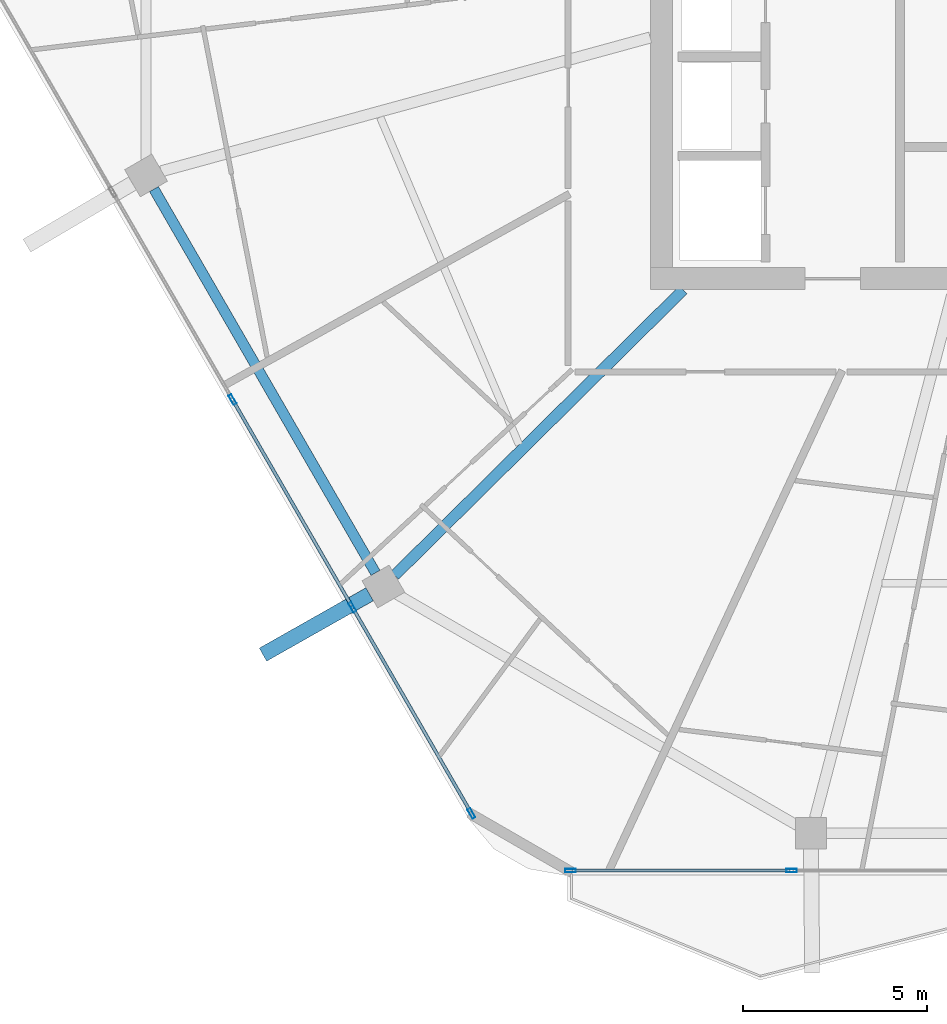
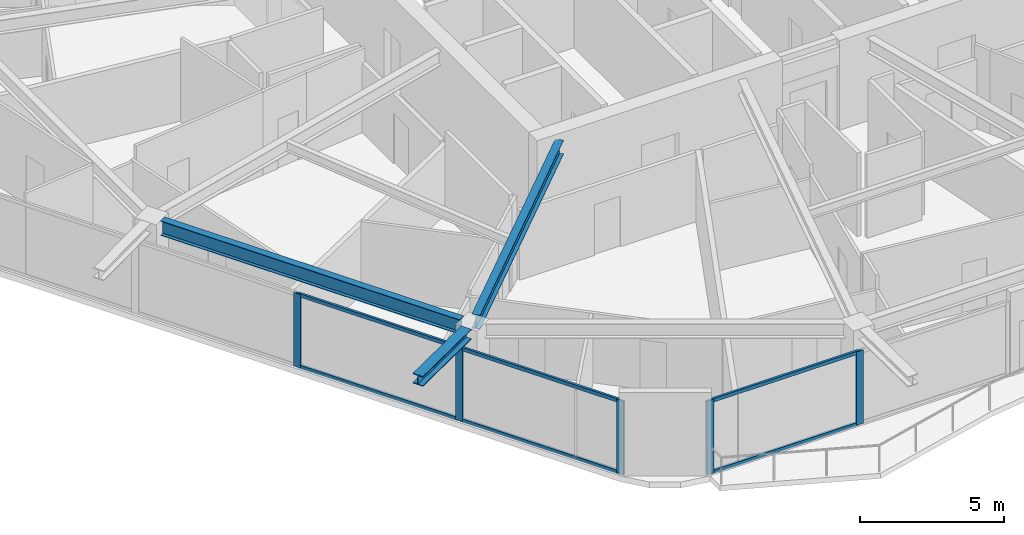
# One storey, part 2 of 27: 11 members, 3 beams, 2 elements without a shape of their own.
"""IFC4 building model written with IfcOpenShell, lengths in metres."""

from ifc_helpers import new_model, si_unit, direction, frame, origin, origin_2d, place, context, subcontext, project, spatial, hollow_rectangle, i_section, extrude, material, material_profile, profile_set, type_object, element, aggregate, save


model = new_model("IFC4")

# Units and contexts
model_context = context("Model", 3, precision=1e-05, world=origin(), true_north=direction((0.0, 1.0)))
body_context = subcontext(model_context, "Body", "Model", "MODEL_VIEW")
ifc_project = project(units=[si_unit("LENGTHUNIT", "METRE"), si_unit("AREAUNIT", "SQUARE_METRE"), si_unit("VOLUMEUNIT", "CUBIC_METRE"), si_unit("PLANEANGLEUNIT", "RADIAN"), si_unit("MASSUNIT", "GRAM", prefix="KILO")], contexts=[model_context])

# Site, building, storey
site_placement = place(None, origin())
site = spatial("IfcSite", under=ifc_project, at=site_placement, CompositionType="ELEMENT")
building_placement = place(site_placement, origin())
building = spatial("IfcBuilding", under=site, at=building_placement, Name="Zuhravey Tower", CompositionType="ELEMENT")
storey_placement = place(building_placement, frame((0.0, 0.0, 265.39990234375)))
storey = spatial("IfcBuildingStorey", under=building, at=storey_placement, Name="L67", CompositionType="ELEMENT", Elevation=265.39990234375)

# Curtain wall, members
ifc_material_1 = material(Name="Thermally broken anodised aluminium", Category="aluminium")
curtain_wall_type = type_object("IfcCurtainWallType", Name="Zone 3-4 High-Rise Curtain Wall CW4", PredefinedType="NOTDEFINED", material=ifc_material_1)
curtain_wall_1_placement = place(storey_placement, origin())
curtain_wall_1 = element("IfcCurtainWall", 1, at=curtain_wall_1_placement, inside=storey, type_object=curtain_wall_type, Name="L67 CW4 CW-L67-F5-2", PredefinedType="NOTDEFINED")
ifc_material_2 = material(Name="Anodised aluminium", Category="aluminium")
ifc_material_profile_1 = material_profile(ifc_material_2, hollow_rectangle(XDim=0.090087890625, YDim=0.284912109375, WallThickness=0.0048828125, at=origin_2d()), Name="ALU-RHS-90x285x5")
ifc_profile_set_1 = profile_set([ifc_material_profile_1], Name="Anodised aluminium")
member_type_1 = type_object("IfcMemberType", Name="Curtain-Wall Mullion 90x180", PredefinedType="MULLION", material=ifc_profile_set_1)
member_1_placement = place(storey_placement, frame((29.035400390625, 6.436279296875, 0.0), z_axis=(0.0, 0.0, 1.0), x_axis=(0.0, -1.0, 0.0)))
member_1 = element("IfcMember", 2, at=member_1_placement, type_object=member_type_1, Name="CW4 mullion 2", PredefinedType="MULLION", context=body_context, shape_type="SweptSolid", body=[
    extrude(hollow_rectangle(XDim=0.090087890625, YDim=0.284912109375, WallThickness=0.0048828125, at=origin_2d()), origin(), (0.0, 0.0, 1.0), 3.1220703125),
])
member_2_placement = place(storey_placement, frame((23.0322265625, 6.436279296875, 0.0), z_axis=(0.0, 0.0, 1.0), x_axis=(0.0, -1.0, 0.0)))
member_2 = element("IfcMember", 3, at=member_2_placement, type_object=member_type_1, Name="CW4 mullion 3", PredefinedType="MULLION", context=body_context, shape_type="SweptSolid", body=[
    extrude(hollow_rectangle(XDim=0.090087890625, YDim=0.284912109375, WallThickness=0.0048828125, at=origin_2d()), origin(), (0.0, 0.0, 1.0), 3.1220703125),
])

curtain_wall_2_placement = place(storey_placement, origin())
curtain_wall_2 = element("IfcCurtainWall", 4, at=curtain_wall_2_placement, inside=storey, type_object=curtain_wall_type, Name="L67 CW4 CW-L67-F4-1", PredefinedType="NOTDEFINED")
member_3_placement = place(storey_placement, frame((20.34521484375, 7.98779296875, 0.0), z_axis=(0.0, 0.0, 1.0), x_axis=(-0.866024851021, -0.500000957414, 0.0)))
member_3 = element("IfcMember", 5, at=member_3_placement, type_object=member_type_1, Name="CW4 mullion 1", PredefinedType="MULLION", context=body_context, shape_type="SweptSolid", body=[
    extrude(hollow_rectangle(XDim=0.090087890625, YDim=0.284912109375, WallThickness=0.0048828125, at=origin_2d()), origin(), (0.0, 0.0, 1.0), 3.1220703125),
])
member_4_placement = place(storey_placement, frame((17.114501953125, 13.58349609375, 0.0), z_axis=(0.0, 0.0, 1.0), x_axis=(-0.866024851021, -0.500000957414, 0.0)))
member_4 = element("IfcMember", 6, at=member_4_placement, type_object=member_type_1, Name="CW4 mullion 2", PredefinedType="MULLION", context=body_context, shape_type="SweptSolid", body=[
    extrude(hollow_rectangle(XDim=0.090087890625, YDim=0.284912109375, WallThickness=0.0048828125, at=origin_2d()), origin(), (0.0, 0.0, 1.0), 3.1220703125),
])
member_5_placement = place(storey_placement, frame((13.861328125, 19.21826171875, 0.0), z_axis=(0.0, 0.0, 1.0), x_axis=(-0.866024851021, -0.500000957414, 0.0)))
member_5 = element("IfcMember", 7, at=member_5_placement, type_object=member_type_1, Name="CW4 mullion 3", PredefinedType="MULLION", context=body_context, shape_type="SweptSolid", body=[
    extrude(hollow_rectangle(XDim=0.090087890625, YDim=0.284912109375, WallThickness=0.0048828125, at=origin_2d()), origin(), (0.0, 0.0, 1.0), 3.1220703125),
])

# Member
ifc_material_profile_2 = material_profile(ifc_material_2, hollow_rectangle(XDim=0.090087890625, YDim=0.14990234375, WallThickness=0.0048828125, at=origin_2d()), Name="ALU-RHS-90x150x5")
ifc_profile_set_2 = profile_set([ifc_material_profile_2], Name="Anodised aluminium")
member_type_2 = type_object("IfcMemberType", Name="Curtain-Wall Transom 90x150", PredefinedType="USERDEFINED", material=ifc_profile_set_2)
member_6_placement = place(storey_placement, frame((28.990478515625, 6.436279296875, 0.045166015625), z_axis=(-1.0, 0.0, 0.0), x_axis=(0.0, -1.0, 0.0)))
member_6 = element("IfcMember", 8, at=member_6_placement, type_object=member_type_2, Name="CW4 transom 2.1", ObjectType="TRANSOM", PredefinedType="USERDEFINED", context=body_context, shape_type="SweptSolid", body=[
    extrude(hollow_rectangle(XDim=0.090087890625, YDim=0.14990234375, WallThickness=0.0048828125, at=origin_2d()), origin(), (0.0, 0.0, 1.0), 5.9130859375),
])

member_7_placement = place(storey_placement, frame((28.990478515625, 6.436279296875, 3.0771484375), z_axis=(-1.0, 0.0, 0.0), x_axis=(0.0, -1.0, 0.0)))
member_7 = element("IfcMember", 9, at=member_7_placement, type_object=member_type_2, Name="CW4 transom 2.2", ObjectType="TRANSOM", PredefinedType="USERDEFINED", context=body_context, shape_type="SweptSolid", body=[
    extrude(hollow_rectangle(XDim=0.090087890625, YDim=0.14990234375, WallThickness=0.0048828125, at=origin_2d()), origin(), (0.0, 0.0, 1.0), 5.9130859375),
])

aggregate(curtain_wall_1, [member_1, member_2, member_6, member_7])

member_8_placement = place(storey_placement, frame((20.322509765625, 8.02685546875, 0.045166015625), z_axis=(-0.499980071345, 0.866036909293, 0.0), x_axis=(-0.866036909293, -0.499980071345, 0.0)))
member_8 = element("IfcMember", 10, at=member_8_placement, type_object=member_type_2, Name="CW4 transom 1.1", ObjectType="TRANSOM", PredefinedType="USERDEFINED", context=body_context, shape_type="SweptSolid", body=[
    extrude(hollow_rectangle(XDim=0.090087890625, YDim=0.14990234375, WallThickness=0.0048828125, at=origin_2d()), origin(), (0.0, 0.0, 1.0), 6.371337890625),
])

member_9_placement = place(storey_placement, frame((20.322509765625, 8.02685546875, 3.0771484375), z_axis=(-0.499980071345, 0.866036909293, 0.0), x_axis=(-0.866036909293, -0.499980071345, 0.0)))
member_9 = element("IfcMember", 11, at=member_9_placement, type_object=member_type_2, Name="CW4 transom 1.2", ObjectType="TRANSOM", PredefinedType="USERDEFINED", context=body_context, shape_type="SweptSolid", body=[
    extrude(hollow_rectangle(XDim=0.090087890625, YDim=0.14990234375, WallThickness=0.0048828125, at=origin_2d()), origin(), (0.0, 0.0, 1.0), 6.371337890625),
])

member_10_placement = place(storey_placement, frame((17.092041015625, 13.62255859375, 0.045166015625), z_axis=(-0.500014493347, 0.866017035885, 0.0), x_axis=(-0.866017035885, -0.500014493347, 0.0)))
member_10 = element("IfcMember", 12, at=member_10_placement, type_object=member_type_2, Name="CW4 transom 2.1", ObjectType="TRANSOM", PredefinedType="USERDEFINED", context=body_context, shape_type="SweptSolid", body=[
    extrude(hollow_rectangle(XDim=0.090087890625, YDim=0.14990234375, WallThickness=0.0048828125, at=origin_2d()), origin(), (0.0, 0.0, 1.0), 6.416259765625),
])

member_11_placement = place(storey_placement, frame((17.092041015625, 13.62255859375, 3.0771484375), z_axis=(-0.500014493347, 0.866017035885, 0.0), x_axis=(-0.866017035885, -0.500014493347, 0.0)))
member_11 = element("IfcMember", 13, at=member_11_placement, type_object=member_type_2, Name="CW4 transom 2.2", ObjectType="TRANSOM", PredefinedType="USERDEFINED", context=body_context, shape_type="SweptSolid", body=[
    extrude(hollow_rectangle(XDim=0.090087890625, YDim=0.14990234375, WallThickness=0.0048828125, at=origin_2d()), origin(), (0.0, 0.0, 1.0), 6.416259765625),
])

aggregate(curtain_wall_2, [member_3, member_4, member_5, member_8, member_9, member_10, member_11])

# Beams
ifc_material_3 = material(Name="Steel SM460", Category="steel")
ifc_material_profile_3 = material_profile(ifc_material_3, i_section(OverallWidth=0.406982421875, OverallDepth=0.427978515625, WebThickness=0.02001953125, FlangeThickness=0.034912109375, at=origin_2d()), Name="H-428x407x20x35")
ifc_profile_set_3 = profile_set([ifc_material_profile_3], Name="Steel SM460")
beam_type_1 = type_object("IfcBeamType", Name="Exoskeleton Node Tie Beam H428x407", PredefinedType="BEAM", material=ifc_profile_set_3)
beam_1_placement = place(storey_placement, frame((17.5830078125, 13.93408203125, 3.336181640625), z_axis=(-0.870385064001, -0.492371648619, 0.0), x_axis=(0.492371648619, -0.870385064001, 0.0)))
element("IfcBeam", 14, at=beam_1_placement, inside=storey, type_object=beam_type_1, Name="L67 Exoskeleton Node Tie NT1-08", PredefinedType="BEAM", context=body_context, shape_type="SweptSolid", body=[
    extrude(i_section(OverallWidth=0.406982421875, OverallDepth=0.427978515625, WebThickness=0.02001953125, FlangeThickness=0.034912109375, at=origin_2d()), origin(), (0.0, 0.0, 1.0), 3.326171875),
])
ifc_material_4 = material(Name="Steel SM355", Category="steel")
ifc_material_profile_4 = material_profile(ifc_material_4, i_section(OverallWidth=0.280029296875, OverallDepth=0.6201171875, WebThickness=0.011962890625, FlangeThickness=0.02001953125, at=origin_2d()), Name="H-620x280x12x20")
ifc_profile_set_4 = profile_set([ifc_material_profile_4], Name="Steel SM355")
beam_type_2 = type_object("IfcBeamType", Name="Perimeter Ring Beam H620x280", PredefinedType="BEAM", material=ifc_profile_set_4)
beam_2_placement = place(storey_placement, frame((11.7294921875, 24.930419921875, 3.239990234375), z_axis=(0.500005971936, -0.866021955858, 0.0), x_axis=(0.866021955858, 0.500005971936, 0.0)))
element("IfcBeam", 15, at=beam_2_placement, inside=storey, type_object=beam_type_2, Name="L67 PB3 BM-L67-PB-07", PredefinedType="BEAM", context=body_context, shape_type="SweptSolid", body=[
    extrude(i_section(OverallWidth=0.280029296875, OverallDepth=0.6201171875, WebThickness=0.011962890625, FlangeThickness=0.02001953125, at=origin_2d()), origin(), (0.0, 0.0, 1.0), 12.025634765625),
])
ifc_material_profile_5 = material_profile(ifc_material_4, i_section(OverallWidth=0.300048828125, OverallDepth=0.60009765625, WebThickness=0.011962890625, FlangeThickness=0.02001953125, at=origin_2d()), Name="H-600x300x12x20")
ifc_profile_set_5 = profile_set([ifc_material_profile_5], Name="Steel SM355")
beam_type_3 = type_object("IfcBeamType", Name="Radial Primary Girder H600x300", PredefinedType="BEAM", material=ifc_profile_set_5)
beam_3_placement = place(storey_placement, frame((26.09326171875, 22.197021484375, 3.25), z_axis=(-0.710808169267, -0.70338591577, 0.0), x_axis=(0.70338591577, -0.710808169267, 0.0)))
element("IfcBeam", 16, at=beam_3_placement, inside=storey, type_object=beam_type_3, Name="L67 RG3 BM-L67-RAD-08", PredefinedType="BEAM", context=body_context, shape_type="SweptSolid", body=[
    extrude(i_section(OverallWidth=0.300048828125, OverallDepth=0.60009765625, WebThickness=0.011962890625, FlangeThickness=0.02001953125, at=origin_2d()), origin(), (0.0, 0.0, 1.0), 11.019287109375),
])

save(model, "model.ifc")
